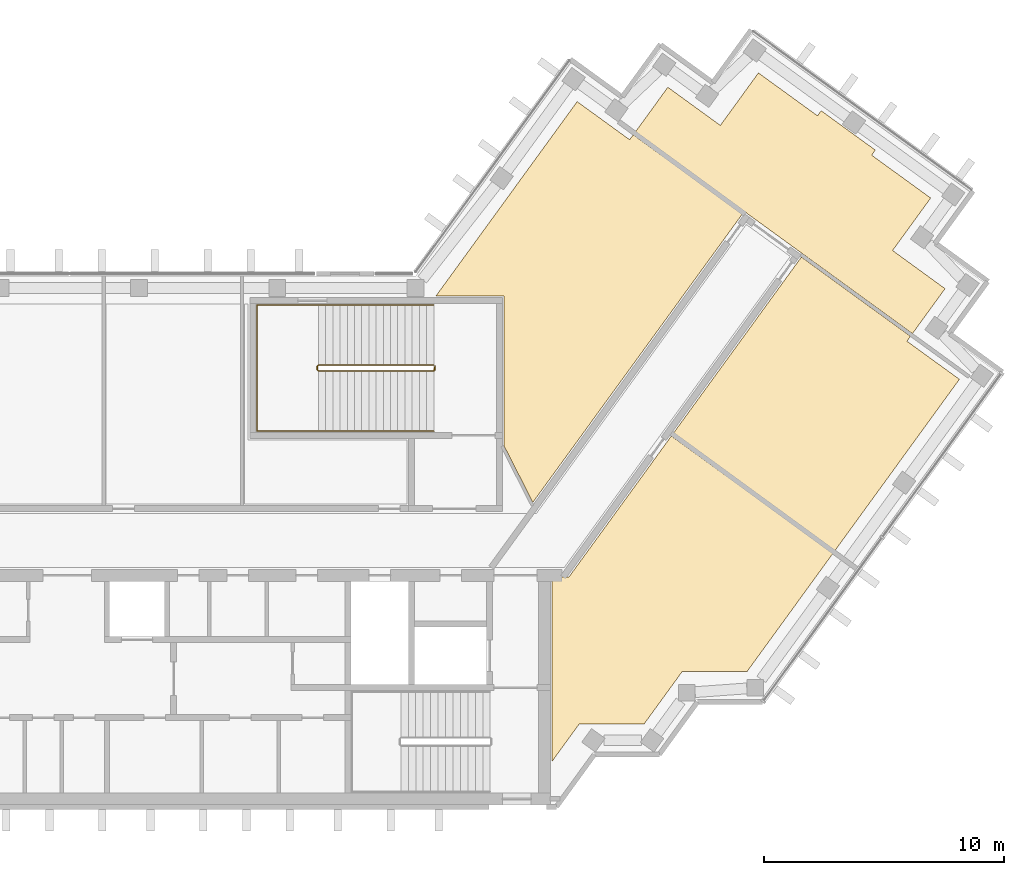
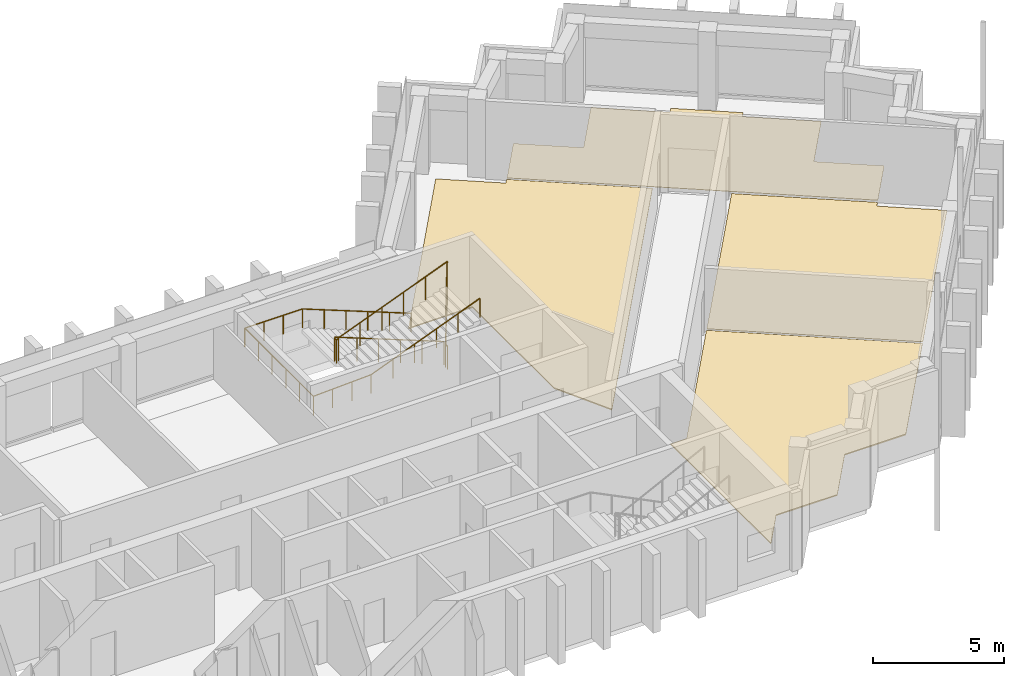
# One storey, part 10 of 10: 4 coverings, 2 railings.
"""IFC4 building model written with IfcOpenShell, lengths in metres."""

from ifc_helpers import new_model, si_unit, direction, frame, origin, origin_2d, place, context, subcontext, project, spatial, polyline, circle, outline, extrude, material, layer, layer_set, type_object, element, save


model = new_model("IFC4")

# Units and contexts
model_context = context("Model", 3, precision=1e-05, world=origin(), true_north=direction((0.0, 1.0)))
body_context = subcontext(model_context, "Body", "Model", "MODEL_VIEW")
ifc_project = project(units=[si_unit("LENGTHUNIT", "METRE"), si_unit("AREAUNIT", "SQUARE_METRE"), si_unit("VOLUMEUNIT", "CUBIC_METRE"), si_unit("PLANEANGLEUNIT", "RADIAN"), si_unit("MASSUNIT", "GRAM", prefix="KILO")], contexts=[model_context])

# Site, building, storey
site_placement = place(None, origin())
site = spatial("IfcSite", under=ifc_project, at=site_placement, CompositionType="ELEMENT")
building_placement = place(site_placement, origin())
building = spatial("IfcBuilding", under=site, at=building_placement, Name="Quipu Civic Tower", CompositionType="ELEMENT")
storey_placement = place(building_placement, frame((0.0, 0.0, 339.0)))
storey = spatial("IfcBuildingStorey", under=building, at=storey_placement, Name="L79", CompositionType="ELEMENT", Elevation=339.0)

# Coverings
ifc_material_1 = material(Name="Carpet tile on raised access floor")
ifc_layer_1 = layer(ifc_material_1, 0.02001953125)
ifc_layer_set_1 = layer_set([ifc_layer_1], Name="Carpet tile on raised access floor")
covering_type_1 = type_object("IfcCoveringType", Name="Carpet tile floor finish 20", PredefinedType="FLOORING", material=ifc_layer_set_1)
covering_1_placement = place(storey_placement, origin())
element("IfcCovering", 1, at=covering_1_placement, inside=storey, type_object=covering_type_1, Name="Carpet tile floor finish 20", PredefinedType="FLOORING", context=body_context, shape_type="SweptSolid", body=[
    extrude(outline(polyline([(23.531005859375, 16.989013671875), (24.888916015625, 18.85791015625), (27.073974609375, 17.27197265625), (28.658935546875, 19.455078125), (31.116943359375, 17.6708984375), (31.27099609375, 17.8798828125), (33.52197265625, 16.2451171875), (33.3701171875, 16.032958984375), (35.826904296875, 14.248046875), (34.240966796875, 12.06396484375), (36.425048828125, 10.47705078125), (35.068115234375, 8.60791015625), (23.531005859375, 16.989013671875)])), origin(), (0.0, 0.0, 1.0), 0.02001953125),
])
covering_2_placement = place(storey_placement, origin())
element("IfcCovering", 2, at=covering_2_placement, inside=storey, type_object=covering_type_1, Name="Carpet tile floor finish 20", PredefinedType="FLOORING", context=body_context, shape_type="SweptSolid", body=[
    extrude(outline(polyline([(25.117919921875, 4.4580078125), (30.446044921875, 11.7919921875), (34.985107421875, 8.493896484375), (34.839111328125, 8.291015625), (37.02197265625, 6.7060546875), (31.841064453125, -0.426025390625), (25.117919921875, 4.4580078125)])), origin(), (0.0, 0.0, 1.0), 0.02001953125),
])
ifc_material_2 = material(Name="Sealed cement screed")
ifc_layer_2 = layer(ifc_material_2, 0.050048828125)
ifc_layer_set_2 = layer_set([ifc_layer_2], Name="Sealed cement screed")
covering_type_2 = type_object("IfcCoveringType", Name="Sealed screed floor finish 50", PredefinedType="FLOORING", material=ifc_layer_set_2)
covering_3_placement = place(storey_placement, origin())
element("IfcCovering", 3, at=covering_3_placement, inside=storey, type_object=covering_type_2, Name="Sealed screed floor finish 50", PredefinedType="FLOORING", context=body_context, shape_type="SweptSolid", body=[
    extrude(outline(polyline([(15.238037109375, 10.169921875), (21.115966796875, 18.260986328125), (23.299072265625, 16.676025390625), (23.447998046875, 16.876953125), (27.987060546875, 13.5791015625), (19.27197265625, 1.583984375), (18.070068359375, 3.94189453125), (18.070068359375, 10.1689453125), (15.238037109375, 10.169921875)])), origin(), (0.0, 0.0, 1.0), 0.050048828125),
])
covering_4_placement = place(storey_placement, origin())
element("IfcCovering", 4, at=covering_4_placement, inside=storey, type_object=covering_type_2, Name="Sealed screed floor finish 50", PredefinedType="FLOORING", context=body_context, shape_type="SweptSolid", body=[
    extrude(outline(polyline([(20.070068359375, -9.195068359375), (20.070068359375, -1.52001953125), (20.77490234375, -1.51904296875), (25.034912109375, 4.344970703125), (31.758056640625, -0.5390625), (28.181884765625, -5.4609375), (25.48193359375, -5.4619140625), (23.89501953125, -7.64599609375), (21.196044921875, -7.64599609375), (20.070068359375, -9.195068359375)])), origin(), (0.0, 0.0, 1.0), 0.050048828125),
])

# Railings
ifc_material_3 = material(Name="Stainless steel", Category="steel")
railing_type_1 = type_object("IfcRailingType", Name="Stair guard 1100", PredefinedType="GUARDRAIL", material=ifc_material_3)
railing_1_placement = place(storey_placement, frame((15.14990234375, 7.300048828125, 0.11767578125)))
element("IfcRailing", 5, at=railing_1_placement, inside=storey, type_object=railing_type_1, Name="Stair 4 guard", PredefinedType="GUARDRAIL", context=body_context, shape_type="SweptSolid", body=[
    extrude(circle(Radius=0.02392578125, at=origin_2d()), frame((0.0, 0.0, 1.076171875), z_axis=(-0.930970042603, 0.0, 0.365095576219), x_axis=(0.0, -1.0, 0.0)), (0.0, 0.0, 1.0), 5.15576171875),
    extrude(circle(Radius=0.02392578125, at=origin_2d()), frame((-4.7998046875, 0.0, 2.95849609375), z_axis=(-0.707106781187, -0.707106781187, 0.0), x_axis=(0.707106781187, -0.707106781187, 0.0)), (0.0, 0.0, 1.0), 0.07080078125),
    extrude(circle(Radius=0.02392578125, at=origin_2d()), frame((-4.849853515625, -0.050048828125, 2.95849609375), z_axis=(0.0, -1.0, 0.0), x_axis=(1.0, 0.0, 0.0)), (0.0, 0.0, 1.0), 0.14990234375),
    extrude(circle(Radius=0.02392578125, at=origin_2d()), frame((-4.849853515625, -0.199951171875, 2.95849609375), z_axis=(0.364463019033, -0.364463019033, 0.856932561824), x_axis=(0.707106781187, 0.707106781187, 0.0)), (0.0, 0.0, 1.0), 0.13720703125),
    extrude(circle(Radius=0.02392578125, at=origin_2d()), frame((-4.7998046875, -0.25, 3.076171875), z_axis=(0.930970042603, 0.0, 0.365095576219), x_axis=(0.0, 1.0, 0.0)), (0.0, 0.0, 1.0), 5.15576171875),
    extrude(circle(Radius=0.02392578125, at=origin_2d()), frame((0.0, -0.25, 4.95849609375), z_axis=(0.012495627992, 0.049921557685, -0.998674970829), x_axis=(-0.970072785993, 0.242814311512, 0.0)), (0.0, 0.0, 1.0), 4.00537109375),
    extrude(circle(Radius=0.02392578125, at=origin_2d()), frame((0.050048828125, -0.050048828125, 0.95849609375), z_axis=(0.0, -1.0, 0.0), x_axis=(1.0, 0.0, 0.0)), (0.0, 0.0, 1.0), 0.14990234375),
    extrude(circle(Radius=0.02099609375, at=origin_2d()), origin(), (0.0, 0.0, 1.0), 1.052001953125),
    extrude(circle(Radius=0.02099609375, at=origin_2d()), frame((-0.9599609375, 0.0, 0.37646484375)), (0.0, 0.0, 1.0), 1.052001953125),
    extrude(circle(Radius=0.02099609375, at=origin_2d()), frame((-1.919921875, 0.0, 0.7529296875)), (0.0, 0.0, 1.0), 1.052001953125),
    extrude(circle(Radius=0.02099609375, at=origin_2d()), frame((-2.8798828125, 0.0, 1.12939453125)), (0.0, 0.0, 1.0), 1.052001953125),
    extrude(circle(Radius=0.02099609375, at=origin_2d()), frame((-3.83984375, 0.0, 1.505859375)), (0.0, 0.0, 1.0), 1.052001953125),
    extrude(circle(Radius=0.02099609375, at=origin_2d()), frame((-4.7998046875, 0.0, 1.88232421875)), (0.0, 0.0, 1.0), 1.052001953125),
    extrude(circle(Radius=0.02099609375, at=origin_2d()), frame((-4.849853515625, -0.050048828125, 1.88232421875)), (0.0, 0.0, 1.0), 1.052001953125),
    extrude(circle(Radius=0.02099609375, at=origin_2d()), frame((-4.849853515625, -0.199951171875, 1.88232421875)), (0.0, 0.0, 1.0), 1.052001953125),
    extrude(circle(Radius=0.02099609375, at=origin_2d()), frame((-4.7998046875, -0.25, 2.0)), (0.0, 0.0, 1.0), 1.052001953125),
    extrude(circle(Radius=0.02099609375, at=origin_2d()), frame((-3.83984375, -0.25, 2.37646484375)), (0.0, 0.0, 1.0), 1.052001953125),
    extrude(circle(Radius=0.02099609375, at=origin_2d()), frame((-2.8798828125, -0.25, 2.7529296875)), (0.0, 0.0, 1.0), 1.052001953125),
    extrude(circle(Radius=0.02099609375, at=origin_2d()), frame((-1.919921875, -0.25, 3.12939453125)), (0.0, 0.0, 1.0), 1.052001953125),
    extrude(circle(Radius=0.02099609375, at=origin_2d()), frame((-0.9599609375, -0.25, 3.505859375)), (0.0, 0.0, 1.0), 1.052001953125),
    extrude(circle(Radius=0.02099609375, at=origin_2d()), frame((0.0, -0.25, 3.88232421875)), (0.0, 0.0, 1.0), 1.052001953125),
    extrude(circle(Radius=0.02099609375, at=origin_2d()), frame((0.012451171875, -0.199951171875, 2.88232421875)), (0.0, 0.0, 1.0), 1.052001953125),
    extrude(circle(Radius=0.02099609375, at=origin_2d()), frame((0.02490234375, -0.14990234375, 1.88232421875)), (0.0, 0.0, 1.0), 1.052001953125),
    extrude(circle(Radius=0.02099609375, at=origin_2d()), frame((0.03759765625, -0.10009765625, 0.88232421875)), (0.0, 0.0, 1.0), 1.052001953125),
    extrude(circle(Radius=0.02099609375, at=origin_2d()), frame((0.050048828125, -0.050048828125, -0.11767578125)), (0.0, 0.0, 1.0), 1.052001953125),
    extrude(circle(Radius=0.02099609375, at=origin_2d()), frame((0.050048828125, -0.199951171875, -0.11767578125)), (0.0, 0.0, 1.0), 1.052001953125),
])
ifc_material_4 = material(Name="Stainless steel", Category="steel")
railing_type_2 = type_object("IfcRailingType", Name="Stair handrail", PredefinedType="HANDRAIL", material=ifc_material_4)
railing_2_placement = place(storey_placement, frame((15.14990234375, 9.800048828125, 0.11767578125)))
element("IfcRailing", 6, at=railing_2_placement, inside=storey, type_object=railing_type_2, Name="Stair 4 handrail", PredefinedType="HANDRAIL", context=body_context, shape_type="SweptSolid", body=[
    extrude(circle(Radius=0.02392578125, at=origin_2d()), frame((0.0, 0.0, 0.8759765625), z_axis=(-0.930970042603, 0.0, 0.365095576219), x_axis=(0.0, -1.0, 0.0)), (0.0, 0.0, 1.0), 5.15576171875),
    extrude(circle(Radius=0.02392578125, at=origin_2d()), frame((-4.7998046875, 0.0, 2.75830078125), z_axis=(-1.0, 0.0, 0.0), x_axis=(0.0, -1.0, 0.0)), (0.0, 0.0, 1.0), 2.550048828125),
    extrude(circle(Radius=0.02392578125, at=origin_2d()), frame((-7.349853515625, 0.0, 2.75830078125), z_axis=(0.0, -1.0, 0.0), x_axis=(1.0, 0.0, 0.0)), (0.0, 0.0, 1.0), 5.25),
    extrude(circle(Radius=0.02392578125, at=origin_2d()), frame((-7.349853515625, -5.25, 2.75830078125), z_axis=(0.998936948642, 0.0, 0.04609742549), x_axis=(0.0, 1.0, 0.0)), (0.0, 0.0, 1.0), 2.552734375),
    extrude(circle(Radius=0.02392578125, at=origin_2d()), frame((-4.7998046875, -5.25, 2.8759765625), z_axis=(0.930970042603, 0.0, 0.365095576219), x_axis=(0.0, 1.0, 0.0)), (0.0, 0.0, 1.0), 5.15576171875),
    extrude(circle(Radius=0.02099609375, at=origin_2d()), origin(), (0.0, 0.0, 1.0), 0.851806640625),
    extrude(circle(Radius=0.02099609375, at=origin_2d()), frame((-0.9599609375, 0.0, 0.37646484375)), (0.0, 0.0, 1.0), 0.851806640625),
    extrude(circle(Radius=0.02099609375, at=origin_2d()), frame((-1.919921875, 0.0, 0.7529296875)), (0.0, 0.0, 1.0), 0.851806640625),
    extrude(circle(Radius=0.02099609375, at=origin_2d()), frame((-2.8798828125, 0.0, 1.12939453125)), (0.0, 0.0, 1.0), 0.851806640625),
    extrude(circle(Radius=0.02099609375, at=origin_2d()), frame((-3.83984375, 0.0, 1.505859375)), (0.0, 0.0, 1.0), 0.851806640625),
    extrude(circle(Radius=0.02099609375, at=origin_2d()), frame((-4.7998046875, 0.0, 1.88232421875)), (0.0, 0.0, 1.0), 0.851806640625),
    extrude(circle(Radius=0.02099609375, at=origin_2d()), frame((-5.64990234375, 0.0, 1.88232421875)), (0.0, 0.0, 1.0), 0.851806640625),
    extrude(circle(Radius=0.02099609375, at=origin_2d()), frame((-6.499755859375, 0.0, 1.88232421875)), (0.0, 0.0, 1.0), 0.851806640625),
    extrude(circle(Radius=0.02099609375, at=origin_2d()), frame((-7.349853515625, 0.0, 1.88232421875)), (0.0, 0.0, 1.0), 0.851806640625),
    extrude(circle(Radius=0.02099609375, at=origin_2d()), frame((-7.349853515625, -1.050048828125, 1.88232421875)), (0.0, 0.0, 1.0), 0.851806640625),
    extrude(circle(Radius=0.02099609375, at=origin_2d()), frame((-7.349853515625, -2.10009765625, 1.88232421875)), (0.0, 0.0, 1.0), 0.851806640625),
    extrude(circle(Radius=0.02099609375, at=origin_2d()), frame((-7.349853515625, -3.14990234375, 1.88232421875)), (0.0, 0.0, 1.0), 0.851806640625),
    extrude(circle(Radius=0.02099609375, at=origin_2d()), frame((-7.349853515625, -4.199951171875, 1.88232421875)), (0.0, 0.0, 1.0), 0.851806640625),
    extrude(circle(Radius=0.02099609375, at=origin_2d()), frame((-7.349853515625, -5.25, 1.88232421875)), (0.0, 0.0, 1.0), 0.851806640625),
    extrude(circle(Radius=0.02099609375, at=origin_2d()), frame((-6.499755859375, -5.25, 1.921630859375)), (0.0, 0.0, 1.0), 0.851806640625),
    extrude(circle(Radius=0.02099609375, at=origin_2d()), frame((-5.64990234375, -5.25, 1.960693359375)), (0.0, 0.0, 1.0), 0.851806640625),
    extrude(circle(Radius=0.02099609375, at=origin_2d()), frame((-4.7998046875, -5.25, 2.0)), (0.0, 0.0, 1.0), 0.851806640625),
    extrude(circle(Radius=0.02099609375, at=origin_2d()), frame((-3.83984375, -5.25, 2.37646484375)), (0.0, 0.0, 1.0), 0.851806640625),
    extrude(circle(Radius=0.02099609375, at=origin_2d()), frame((-2.8798828125, -5.25, 2.7529296875)), (0.0, 0.0, 1.0), 0.851806640625),
    extrude(circle(Radius=0.02099609375, at=origin_2d()), frame((-1.919921875, -5.25, 3.12939453125)), (0.0, 0.0, 1.0), 0.851806640625),
    extrude(circle(Radius=0.02099609375, at=origin_2d()), frame((-0.9599609375, -5.25, 3.505859375)), (0.0, 0.0, 1.0), 0.851806640625),
    extrude(circle(Radius=0.02099609375, at=origin_2d()), frame((0.0, -5.25, 3.88232421875)), (0.0, 0.0, 1.0), 0.851806640625),
])

save(model, "model.ifc")
